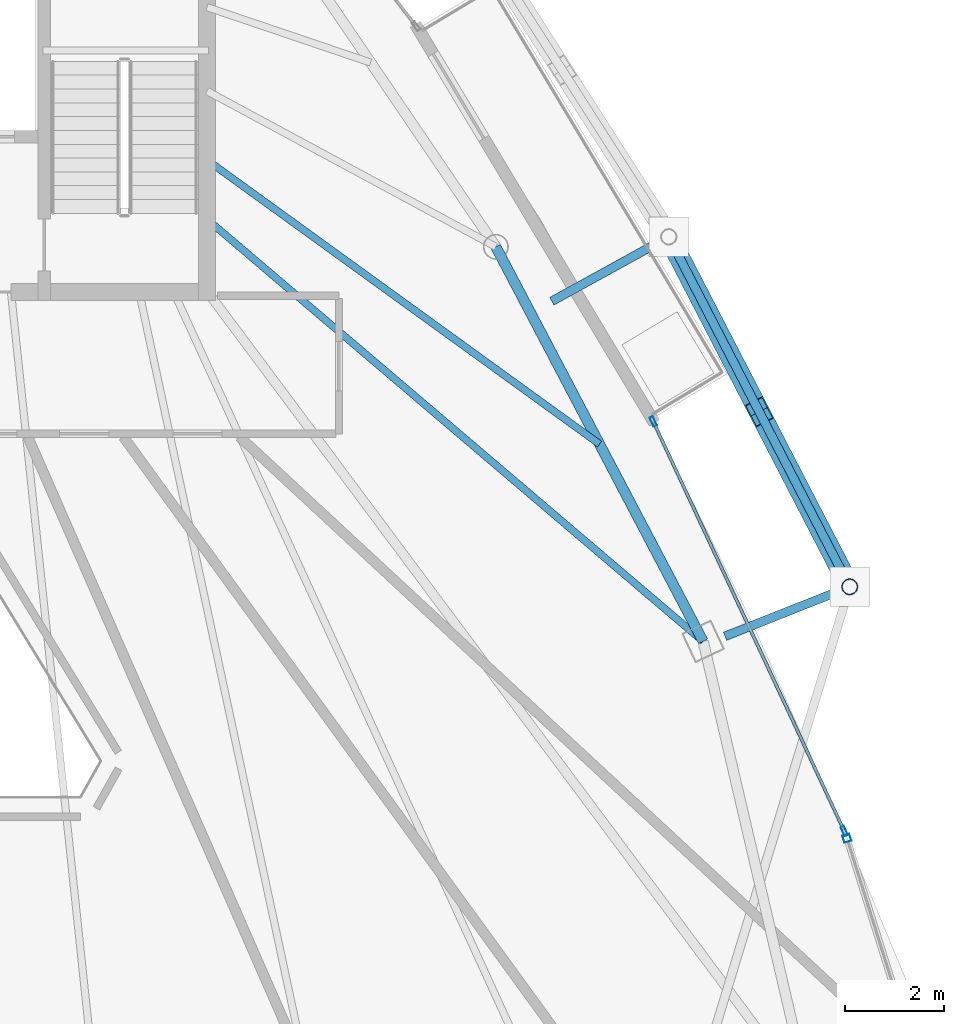
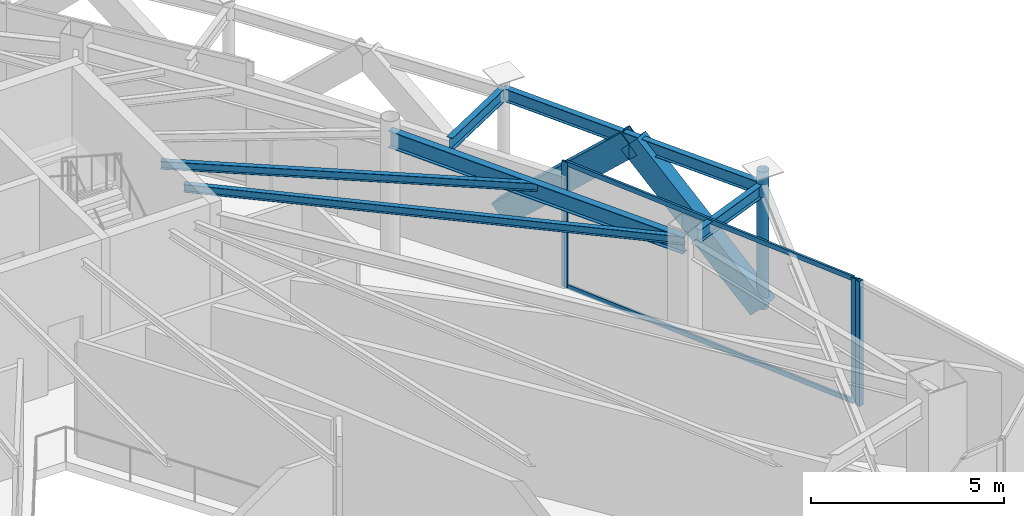
# One storey, part 13 of 22: 8 members, 6 beams, 2 elements without a shape of their own.
"""IFC4 building model written with IfcOpenShell, lengths in metres."""

from ifc_helpers import new_model, si_unit, direction, frame, origin, origin_2d, place, context, subcontext, project, spatial, hollow_rectangle, hollow_circle, i_section, extrude, material, layer, layer_set, material_profile, profile_set, type_object, element, aggregate, save


model = new_model("IFC4")

# Units and contexts
model_context = context("Model", 3, precision=1e-05, world=origin(), true_north=direction((0.0, 1.0)))
body_context = subcontext(model_context, "Body", "Model", "MODEL_VIEW")
ifc_project = project(units=[si_unit("LENGTHUNIT", "METRE"), si_unit("AREAUNIT", "SQUARE_METRE"), si_unit("VOLUMEUNIT", "CUBIC_METRE"), si_unit("PLANEANGLEUNIT", "RADIAN"), si_unit("MASSUNIT", "GRAM", prefix="KILO")], contexts=[model_context])

# Site, building, storey
site_placement = place(None, origin())
site = spatial("IfcSite", under=ifc_project, at=site_placement, CompositionType="ELEMENT")
building_placement = place(site_placement, origin())
building = spatial("IfcBuilding", under=site, at=building_placement, Name="Orvanel Arch Residences", CompositionType="ELEMENT")
storey_placement = place(building_placement, frame((0.0, 0.0, 276.64990234375)))
storey = spatial("IfcBuildingStorey", under=building, at=storey_placement, Name="L79", CompositionType="ELEMENT", Elevation=276.64990234375)

# Beams
ifc_material_1 = material(Name="Structural steel AS/NZS 3679.1 Grade 300 (300 MPa)", Category="steel")
ifc_material_profile_1 = material_profile(ifc_material_1, i_section(OverallWidth=0.14599609375, OverallDepth=0.251953125, WebThickness=0.006103515625, FlangeThickness=0.008544921875, at=origin_2d()), Name="250UB31.4")
ifc_profile_set_1 = profile_set([ifc_material_profile_1], Name="Structural steel AS/NZS 3679.1 Grade 300 (300 MPa)")
beam_type_1 = type_object("IfcBeamType", Name="BJ-250UB", PredefinedType="JOIST", material=ifc_profile_set_1)
beam_1_placement = place(storey_placement, frame((39.574951171875, 28.199951171875, 3.82421875), z_axis=(0.761622669031, -0.64802076357, 0.0), x_axis=(0.64802076357, 0.761622669031, 0.0)))
element("IfcBeam", 1, at=beam_1_placement, inside=storey, type_object=beam_type_1, Name="L79 E Wing Floor Joist", PredefinedType="JOIST", context=body_context, shape_type="SweptSolid", body=[
    extrude(i_section(OverallWidth=0.14599609375, OverallDepth=0.251953125, WebThickness=0.006103515625, FlangeThickness=0.008544921875, at=origin_2d()), origin(), (0.0, 0.0, 1.0), 13.2060546875),
])
beam_2_placement = place(storey_placement, frame((39.574951171875, 29.39990234375, 3.82421875), z_axis=(0.810144032972, -0.586230881002, 0.0), x_axis=(0.586230881002, 0.810144032972, 0.0)))
element("IfcBeam", 2, at=beam_2_placement, inside=storey, type_object=beam_type_1, Name="L79 CTE Wing Floor Joist", PredefinedType="JOIST", context=body_context, shape_type="SweptSolid", body=[
    extrude(i_section(OverallWidth=0.14599609375, OverallDepth=0.251953125, WebThickness=0.006103515625, FlangeThickness=0.008544921875, at=origin_2d()), origin(), (0.0, 0.0, 1.0), 9.82177734375),
])

# Members
ifc_material_2 = material(Name="Structural steel AS/NZS 3678 Grade 350", Category="steel")
ifc_material_profile_2 = material_profile(ifc_material_2, hollow_rectangle(XDim=0.419921875, YDim=0.719970703125, WallThickness=0.02490234375, at=origin_2d()), Name="RHS720x420x25")
ifc_profile_set_2 = profile_set([ifc_material_profile_2], Name="Structural steel AS/NZS 3678 Grade 350")
member_type_1 = type_object("IfcMemberType", Name="BR-720RHS-EXT", PredefinedType="BRACE", material=ifc_profile_set_2)
member_1_placement = place(storey_placement, frame((52.60498046875, 20.748046875, 0.0), z_axis=(-0.335045156403, 0.647801518473, 0.684176830823), x_axis=(-0.888231403909, -0.459396313775, 0.0)))
element("IfcMember", 3, at=member_1_placement, inside=storey, type_object=member_type_1, Name="L79 Exterior Sky-Garden V-Frame Chevron F3B1.1", PredefinedType="BRACE", context=body_context, shape_type="SweptSolid", body=[
    extrude(hollow_rectangle(XDim=0.419921875, YDim=0.719970703125, WallThickness=0.02490234375, at=origin_2d()), origin(), (0.0, 0.0, 1.0), 5.476806640625),
])
member_2_placement = place(storey_placement, frame((48.93603515625, 27.843994140625, 0.0), z_axis=(0.334877176398, -0.647866081549, 0.684197937082), x_axis=(0.88834404743, 0.459178454847, 0.0)))
element("IfcMember", 4, at=member_2_placement, inside=storey, type_object=member_type_1, Name="L79 Exterior Sky-Garden V-Frame Chevron F3B1.2", PredefinedType="BRACE", context=body_context, shape_type="SweptSolid", body=[
    extrude(hollow_rectangle(XDim=0.419921875, YDim=0.719970703125, WallThickness=0.02490234375, at=origin_2d()), origin(), (0.0, 0.0, 1.0), 5.4765625),
])

# Curtain wall, member
ifc_material_3 = material(Name="Bronze-anodised aluminium AA6063-T6", Category="aluminium")
ifc_layer_1 = layer(ifc_material_3, 0.18994140625)
ifc_layer_set_1 = layer_set([ifc_layer_1], Name="Bronze-anodised aluminium AA6063-T6")
curtain_wall_type_1 = type_object("IfcCurtainWallType", Name="CW5-CRN-SYS", PredefinedType="NOTDEFINED", material=ifc_layer_set_1)
curtain_wall_1_placement = place(storey_placement, origin())
curtain_wall_1 = element("IfcCurtainWall", 5, at=curtain_wall_1_placement, inside=storey, type_object=curtain_wall_type_1, Name="L79 CW5-CRN-SYS Unitised Curtain Wall", PredefinedType="NOTDEFINED")
ifc_material_profile_3 = material_profile(ifc_material_3, hollow_rectangle(XDim=0.14990234375, YDim=0.14990234375, WallThickness=0.0048828125, at=origin_2d()), Name="ALU150x150x5")
ifc_profile_set_3 = profile_set([ifc_material_profile_3], Name="Bronze-anodised aluminium AA6063-T6")
member_type_2 = type_object("IfcMemberType", Name="MUL-150x150", PredefinedType="MULLION", material=ifc_profile_set_3)
member_3_placement = place(storey_placement, frame((52.547607421875, 15.6513671875, 0.0), z_axis=(0.0, 0.0, 1.0), x_axis=(-0.953992425891, -0.29983070447, 0.0)))
member_3 = element("IfcMember", 6, at=member_3_placement, type_object=member_type_2, Name="CW-S5 mullion 2", PredefinedType="MULLION", context=body_context, shape_type="SweptSolid", body=[
    extrude(hollow_rectangle(XDim=0.14990234375, YDim=0.14990234375, WallThickness=0.0048828125, at=origin_2d()), origin(), (0.0, 0.0, 1.0), 3.9501953125),
])
aggregate(curtain_wall_1, [member_3])

# Curtain wall, members
ifc_layer_2 = layer(ifc_material_3, 0.195068359375)
ifc_layer_set_2 = layer_set([ifc_layer_2], Name="Bronze-anodised aluminium AA6063-T6")
curtain_wall_type_2 = type_object("IfcCurtainWallType", Name="CW6-COM-SYS", PredefinedType="NOTDEFINED", material=ifc_layer_set_2)
curtain_wall_2_placement = place(storey_placement, origin())
curtain_wall_2 = element("IfcCurtainWall", 7, at=curtain_wall_2_placement, inside=storey, type_object=curtain_wall_type_2, Name="L79 CW6-COM-SYS Unitised Curtain Wall", PredefinedType="NOTDEFINED")
ifc_material_profile_4 = material_profile(ifc_material_3, hollow_rectangle(XDim=0.074951171875, YDim=0.199951171875, WallThickness=0.0048828125, at=origin_2d()), Name="ALU200x75x5")
ifc_profile_set_4 = profile_set([ifc_material_profile_4], Name="Bronze-anodised aluminium AA6063-T6")
member_type_3 = type_object("IfcMemberType", Name="MUL-200x75", PredefinedType="MULLION", material=ifc_profile_set_4)
member_4_placement = place(storey_placement, frame((52.4951171875, 15.7939453125, 0.0), z_axis=(0.0, 0.0, 1.0), x_axis=(-0.906321325581, -0.422589227025, 0.0)))
member_4 = element("IfcMember", 8, at=member_4_placement, type_object=member_type_3, Name="CW-S6 mullion 1", PredefinedType="MULLION", context=body_context, shape_type="SweptSolid", body=[
    extrude(hollow_rectangle(XDim=0.074951171875, YDim=0.199951171875, WallThickness=0.0048828125, at=origin_2d()), origin(), (0.0, 0.0, 1.0), 3.9501953125),
])
member_5_placement = place(storey_placement, frame((48.621826171875, 24.10107421875, 0.0), z_axis=(0.0, 0.0, 1.0), x_axis=(-0.906321325581, -0.422589227025, 0.0)))
member_5 = element("IfcMember", 9, at=member_5_placement, type_object=member_type_3, Name="CW-S6 mullion 2", PredefinedType="MULLION", context=body_context, shape_type="SweptSolid", body=[
    extrude(hollow_rectangle(XDim=0.074951171875, YDim=0.199951171875, WallThickness=0.0048828125, at=origin_2d()), origin(), (0.0, 0.0, 1.0), 3.9501953125),
])

# Beams
ifc_material_profile_5 = material_profile(ifc_material_1, i_section(OverallWidth=0.177978515625, OverallDepth=0.406005859375, WebThickness=0.0078125, FlangeThickness=0.0126953125, at=origin_2d()), Name="410UB59.7")
ifc_profile_set_5 = profile_set([ifc_material_profile_5], Name="Structural steel AS/NZS 3679.1 Grade 300 (300 MPa)")
beam_type_2 = type_object("IfcBeamType", Name="OB-410UB-EXT", PredefinedType="SPANDREL", material=ifc_profile_set_5)
beam_3_placement = place(storey_placement, frame((50.0791015625, 19.7451171875, 3.7470703125), z_axis=(0.929415407037, 0.369035230244, 0.0), x_axis=(-0.369035230244, 0.929415407037, 0.0)))
element("IfcBeam", 10, at=beam_3_placement, inside=storey, type_object=beam_type_2, Name="L79 Outer Frame Radial Tie Beam 09", PredefinedType="SPANDREL", context=body_context, shape_type="SweptSolid", body=[
    extrude(i_section(OverallWidth=0.177978515625, OverallDepth=0.406005859375, WebThickness=0.0078125, FlangeThickness=0.0126953125, at=origin_2d()), origin(), (0.0, 0.0, 1.0), 2.7177734375),
])
beam_4_placement = place(storey_placement, frame((52.60498046875, 20.748046875, 3.7470703125), z_axis=(-0.459287390923, 0.888287730715, 0.0), x_axis=(-0.888287730715, -0.459287390923, 0.0)))
element("IfcBeam", 11, at=beam_4_placement, inside=storey, type_object=beam_type_2, Name="L79 Outer Perimeter Floor Ring Beam 09", PredefinedType="SPANDREL", context=body_context, shape_type="SweptSolid", body=[
    extrude(i_section(OverallWidth=0.177978515625, OverallDepth=0.406005859375, WebThickness=0.0078125, FlangeThickness=0.0126953125, at=origin_2d()), origin(), (0.0, 0.0, 1.0), 7.98828125),
])
beam_5_placement = place(storey_placement, frame((46.56494140625, 26.537109375, 3.7470703125), z_axis=(0.875781466114, 0.482707803553, 0.0), x_axis=(-0.482707803553, 0.875781466114, 0.0)))
element("IfcBeam", 12, at=beam_5_placement, inside=storey, type_object=beam_type_2, Name="L79 Outer Frame Radial Tie Beam 10", PredefinedType="SPANDREL", context=body_context, shape_type="SweptSolid", body=[
    extrude(i_section(OverallWidth=0.177978515625, OverallDepth=0.406005859375, WebThickness=0.0078125, FlangeThickness=0.0126953125, at=origin_2d()), origin(), (0.0, 0.0, 1.0), 2.70751953125),
])
ifc_material_profile_6 = material_profile(ifc_material_1, i_section(OverallWidth=0.208984375, OverallDepth=0.532958984375, WebThickness=0.01025390625, FlangeThickness=0.015625, at=origin_2d()), Name="530UB92.4")
ifc_profile_set_6 = profile_set([ifc_material_profile_6], Name="Structural steel AS/NZS 3679.1 Grade 300 (300 MPa)")
beam_type_3 = type_object("IfcBeamType", Name="SP-530UB", PredefinedType="SPANDREL", material=ifc_profile_set_6)
beam_6_placement = place(storey_placement, frame((49.633056640625, 19.64208984375, 3.68408203125), z_axis=(-0.465064762793, 0.885276660942, 0.0), x_axis=(-0.885276660942, -0.465064762793, 0.0)))
element("IfcBeam", 13, at=beam_6_placement, inside=storey, type_object=beam_type_3, Name="L79 Perimeter Spandrel Beam 07", PredefinedType="SPANDREL", context=body_context, shape_type="SweptSolid", body=[
    extrude(i_section(OverallWidth=0.208984375, OverallDepth=0.532958984375, WebThickness=0.01025390625, FlangeThickness=0.015625, at=origin_2d()), origin(), (0.0, 0.0, 1.0), 9.03564453125),
])

# Member
ifc_material_4 = material(Name="Structural steel AS/NZS 1163 C350L0 (Grade 350)", Category="steel")
ifc_material_profile_7 = material_profile(ifc_material_4, hollow_circle(Radius=0.162109375, WallThickness=0.0126953125, at=origin_2d()), Name="CHS324x12.7")
ifc_profile_set_7 = profile_set([ifc_material_profile_7], Name="Structural steel AS/NZS 1163 C350L0 (Grade 350)")
member_type_4 = type_object("IfcMemberType", Name="ST-324CHS-EXT", PredefinedType="STRUT", material=ifc_profile_set_7)
member_6_placement = place(storey_placement, frame((52.60498046875, 20.748046875, 0.0), z_axis=(0.0, 0.0, 1.0), x_axis=(1.0, 0.0, 0.0)))
element("IfcMember", 14, at=member_6_placement, inside=storey, type_object=member_type_4, Name="L79 Outer Perimeter Frame Post 09", PredefinedType="STRUT", context=body_context, shape_type="SweptSolid", body=[
    extrude(hollow_circle(Radius=0.162109375, WallThickness=0.0126953125, at=origin_2d()), origin(), (0.0, 0.0, 1.0), 4.35009765625),
])

ifc_material_profile_8 = material_profile(ifc_material_3, hollow_rectangle(XDim=0.06494140625, YDim=0.14990234375, WallThickness=0.00390625, at=origin_2d()), Name="ALU150x65x4")
ifc_profile_set_8 = profile_set([ifc_material_profile_8], Name="Bronze-anodised aluminium AA6063-T6")
member_type_5 = type_object("IfcMemberType", Name="TRN-150x65", PredefinedType="USERDEFINED", material=ifc_profile_set_8)
member_7_placement = place(storey_placement, frame((52.479248046875, 15.827880859375, 0.03271484375), z_axis=(-0.422575227235, 0.906327853112, 0.0), x_axis=(-0.906327853112, -0.422575227235, 0.0)))
member_7 = element("IfcMember", 15, at=member_7_placement, type_object=member_type_5, Name="CW-S6 transom 1.1", ObjectType="TRANSOM", PredefinedType="USERDEFINED", context=body_context, shape_type="SweptSolid", body=[
    extrude(hollow_rectangle(XDim=0.06494140625, YDim=0.14990234375, WallThickness=0.00390625, at=origin_2d()), origin(), (0.0, 0.0, 1.0), 9.0908203125),
])

member_8_placement = place(storey_placement, frame((52.479248046875, 15.827880859375, 3.91748046875), z_axis=(-0.422575227235, 0.906327853112, 0.0), x_axis=(-0.906327853112, -0.422575227235, 0.0)))
member_8 = element("IfcMember", 16, at=member_8_placement, type_object=member_type_5, Name="CW-S6 transom 1.2", ObjectType="TRANSOM", PredefinedType="USERDEFINED", context=body_context, shape_type="SweptSolid", body=[
    extrude(hollow_rectangle(XDim=0.06494140625, YDim=0.14990234375, WallThickness=0.00390625, at=origin_2d()), origin(), (0.0, 0.0, 1.0), 9.0908203125),
])

aggregate(curtain_wall_2, [member_4, member_5, member_7, member_8])

save(model, "model.ifc")
